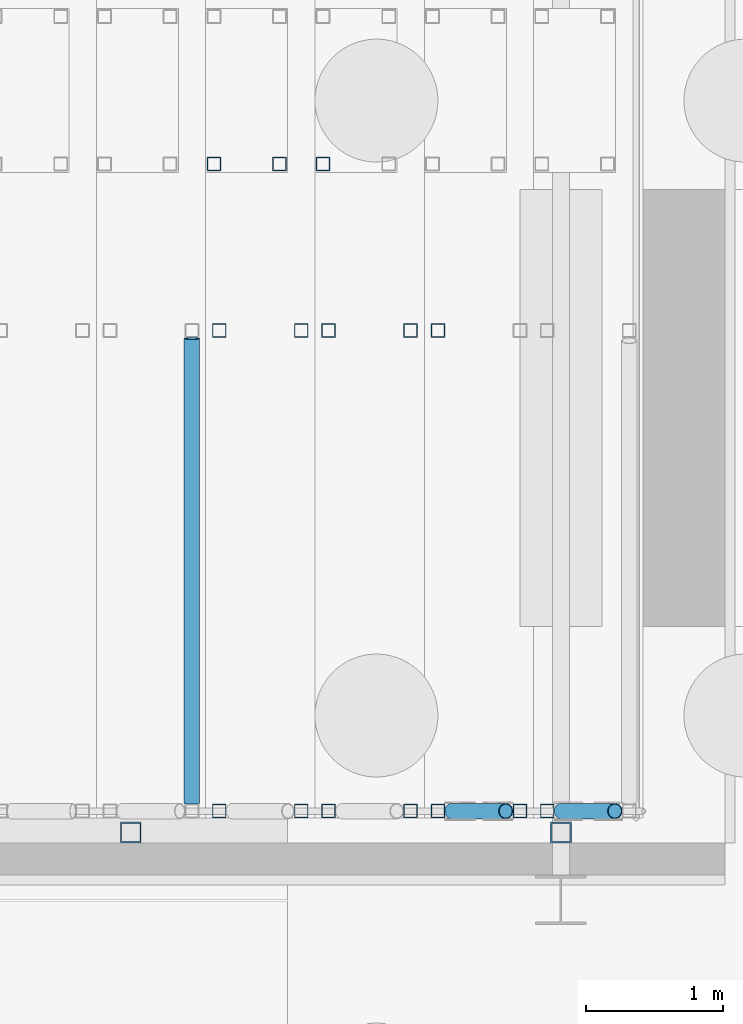
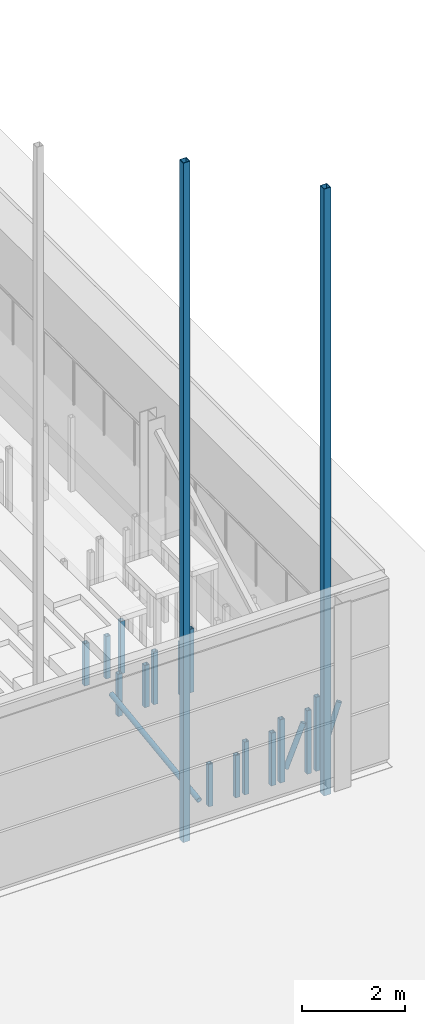
# One storey, part 49 of 139: 20 members.
"""IFC4 building model written with IfcOpenShell, lengths in metres."""

from ifc_helpers import new_model, si_unit, direction, frame, origin, origin_2d, place, context, subcontext, project, spatial, hollow_rectangle, hollow_circle, extrude, material, material_profile, profile_set, type_object, element, save


model = new_model("IFC4")

# Units and contexts
model_context = context("Model", 3, precision=1e-05, world=origin(), true_north=direction((0.0, 1.0)))
body_context = subcontext(model_context, "Body", "Model", "MODEL_VIEW")
ifc_project = project(units=[si_unit("LENGTHUNIT", "METRE"), si_unit("AREAUNIT", "SQUARE_METRE"), si_unit("VOLUMEUNIT", "CUBIC_METRE"), si_unit("PLANEANGLEUNIT", "RADIAN"), si_unit("MASSUNIT", "GRAM", prefix="KILO")], contexts=[model_context])

# Site, building, storey
site_placement = place(None, origin())
site = spatial("IfcSite", under=ifc_project, at=site_placement, CompositionType="ELEMENT")
building_placement = place(site_placement, origin())
building = spatial("IfcBuilding", under=site, at=building_placement, Name="Verrick Yard Athletic Hall", CompositionType="ELEMENT")
storey_placement = place(building_placement, origin())
storey = spatial("IfcBuildingStorey", under=building, at=storey_placement, Name="L00", CompositionType="ELEMENT", Elevation=0.0)

# Members
ifc_material = material(Name="Structural steel HSS Class C 350W (CSA G40.20/G40.21)", Category="steel")
ifc_material_profile_1 = material_profile(ifc_material, hollow_rectangle(XDim=0.15234375, YDim=0.15234375, WallThickness=0.009521484375, at=origin_2d()), Name="HSS152x152x9.5")
ifc_profile_set_1 = profile_set([ifc_material_profile_1], Name="Structural steel HSS Class C 350W (CSA G40.20/G40.21)")
member_type_1 = type_object("IfcMemberType", Name="HB gable post HSS152x152x9.5", PredefinedType="POST", material=ifc_profile_set_1)
member_1_placement = place(storey_placement, frame((166.452392578125, 72.49462890625, -0.5), z_axis=(0.0, 0.0, 1.0), x_axis=(1.0, 0.0, 0.0)))
element("IfcMember", 1, at=member_1_placement, inside=storey, type_object=member_type_1, Name="HB-GP-AS-13", PredefinedType="POST", context=body_context, shape_type="SweptSolid", body=[
    extrude(hollow_rectangle(XDim=0.15234375, YDim=0.15234375, WallThickness=0.009521484375, at=origin_2d()), origin(), (0.0, 0.0, 1.0), 16.0712890625),
])
member_2_placement = place(storey_placement, frame((169.60009765625, 72.49462890625, -0.5), z_axis=(0.0, 0.0, 1.0), x_axis=(1.0, 0.0, 0.0)))
element("IfcMember", 2, at=member_2_placement, inside=storey, type_object=member_type_1, Name="HB-GP-AS-14", PredefinedType="POST", context=body_context, shape_type="SweptSolid", body=[
    extrude(hollow_rectangle(XDim=0.15234375, YDim=0.15234375, WallThickness=0.009521484375, at=origin_2d()), origin(), (0.0, 0.0, 1.0), 14.3544921875),
])
ifc_material_profile_2 = material_profile(ifc_material, hollow_circle(Radius=0.05712890625, WallThickness=0.00634765625, at=origin_2d()), Name="HSS114x6.4")
ifc_profile_set_2 = profile_set([ifc_material_profile_2], Name="Structural steel HSS Class C 350W (CSA G40.20/G40.21)")
member_type_2 = type_object("IfcMemberType", Name="HB roof brace HSS114x6.4", PredefinedType="BRACE", material=ifc_profile_set_2)
member_3_placement = place(storey_placement, frame((168.803466796875, 72.65087890625, 0.277099609375), z_axis=(0.383768953832, 0.0, 0.923429147295), x_axis=(0.0, 1.0, 0.0)))
element("IfcMember", 3, at=member_3_placement, inside=storey, type_object=member_type_2, Name="HB-BRS-RSA2-a7", PredefinedType="BRACE", context=body_context, shape_type="SweptSolid", body=[
    extrude(hollow_circle(Radius=0.05712890625, WallThickness=0.00634765625, at=origin_2d()), origin(), (0.0, 0.0, 1.0), 1.024169921875),
])
member_4_placement = place(storey_placement, frame((169.604736328125, 72.65087890625, 0.30712890625), z_axis=(0.325057042805, 0.0, 0.945694410961), x_axis=(0.0, 1.0, 0.0)))
element("IfcMember", 4, at=member_4_placement, inside=storey, type_object=member_type_2, Name="HB-BRS-RSA2-a8", PredefinedType="BRACE", context=body_context, shape_type="SweptSolid", body=[
    extrude(hollow_circle(Radius=0.05712890625, WallThickness=0.00634765625, at=origin_2d()), origin(), (0.0, 0.0, 1.0), 1.200927734375),
])
member_5_placement = place(storey_placement, frame((166.89990234375, 72.708984375, 0.15087890625), z_axis=(0.0, 0.991420823535, 0.130708647997), x_axis=(-1.0, 0.0, 0.0)))
element("IfcMember", 5, at=member_5_placement, inside=storey, type_object=member_type_2, Name="HB-BRL-RSA2-a4", PredefinedType="BRACE", context=body_context, shape_type="SweptSolid", body=[
    extrude(hollow_circle(Radius=0.05712890625, WallThickness=0.00634765625, at=origin_2d()), origin(), (0.0, 0.0, 1.0), 3.429443359375),
])
ifc_material_profile_3 = material_profile(ifc_material, hollow_rectangle(XDim=0.1015625, YDim=0.1015625, WallThickness=0.00634765625, at=origin_2d()), Name="HSS102x102x6.4")
ifc_profile_set_3 = profile_set([ifc_material_profile_3], Name="Structural steel HSS Class C 350W (CSA G40.20/G40.21)")
member_type_3 = type_object("IfcMemberType", Name="HB seating post HSS102x102x6.4", PredefinedType="POST", material=ifc_profile_set_3)
for number, where, z_axis, x_axis, name in (
    (6, (167.06005859375, 77.385498046875, 0.0), (0.0, 0.0, 1.0), (0.0, 1.0, 0.0), "HB-SP-RSA2-A1S5a"),
    (7, (167.5400390625, 77.385498046875, 0.0), (0.0, 0.0, 1.0), (0.0, 1.0, 0.0), "HB-SP-RSA2-A1S5c"),
    (8, (167.10009765625, 72.65087890625, 0.0), (0.0, 0.0, 1.0), (0.0, 1.0, 0.0), "HB-SP-RSA2-T5f1"),
    (9, (167.10009765625, 76.167236328125, 0.0), (0.0, 0.0, 1.0), (0.0, 1.0, 0.0), "HB-SP-RSA2-T5f2"),
    (10, (167.699951171875, 72.65087890625, 0.0), (0.0, 0.0, 1.0), (0.0, 1.0, 0.0), "HB-SP-RSA2-T5b1"),
    (11, (167.699951171875, 76.167236328125, 0.0), (0.0, 0.0, 1.0), (0.0, 1.0, 0.0), "HB-SP-RSA2-T5b2"),
):
    element("IfcMember", number, at=place(storey_placement, frame(where, z_axis=z_axis, x_axis=x_axis)), inside=storey, type_object=member_type_3, Name=name, PredefinedType="POST", context=body_context, shape_type="SweptSolid", body=[
        extrude(hollow_rectangle(XDim=0.1015625, YDim=0.1015625, WallThickness=0.00634765625, at=origin_2d()), origin(), (0.0, 0.0, 1.0), 1.0),
    ])
for number, where, z_axis, x_axis, name in (
    (12, (167.860107421875, 77.385498046875, 0.0), (0.0, 0.0, 1.0), (0.0, 1.0, 0.0), "HB-SP-RSA2-A1S6a"),
    (13, (167.89990234375, 72.65087890625, 0.0), (0.0, 0.0, 1.0), (0.0, 1.0, 0.0), "HB-SP-RSA2-T6f1"),
    (14, (167.89990234375, 76.167236328125, 0.0), (0.0, 0.0, 1.0), (0.0, 1.0, 0.0), "HB-SP-RSA2-T6f2"),
    (15, (168.5, 72.65087890625, 0.0), (0.0, 0.0, 1.0), (0.0, 1.0, 0.0), "HB-SP-RSA2-T6b1"),
    (16, (168.5, 76.167236328125, 0.0), (0.0, 0.0, 1.0), (0.0, 1.0, 0.0), "HB-SP-RSA2-T6b2"),
):
    element("IfcMember", number, at=place(storey_placement, frame(where, z_axis=z_axis, x_axis=x_axis)), inside=storey, type_object=member_type_3, Name=name, PredefinedType="POST", context=body_context, shape_type="SweptSolid", body=[
        extrude(hollow_rectangle(XDim=0.1015625, YDim=0.1015625, WallThickness=0.00634765625, at=origin_2d()), origin(), (0.0, 0.0, 1.0), 1.25),
    ])
for number, where, z_axis, x_axis, name in (
    (17, (168.699951171875, 72.65087890625, 0.0), (0.0, 0.0, 1.0), (0.0, 1.0, 0.0), "HB-SP-RSA2-T7f1"),
    (18, (168.699951171875, 76.167236328125, 0.0), (0.0, 0.0, 1.0), (0.0, 1.0, 0.0), "HB-SP-RSA2-T7f2"),
    (19, (169.300048828125, 72.65087890625, 0.0), (0.0, 0.0, 1.0), (0.0, 1.0, 0.0), "HB-SP-RSA2-T7b1"),
):
    element("IfcMember", number, at=place(storey_placement, frame(where, z_axis=z_axis, x_axis=x_axis)), inside=storey, type_object=member_type_3, Name=name, PredefinedType="POST", context=body_context, shape_type="SweptSolid", body=[
        extrude(hollow_rectangle(XDim=0.1015625, YDim=0.1015625, WallThickness=0.00634765625, at=origin_2d()), origin(), (0.0, 0.0, 1.0), 1.5),
    ])
member_6_placement = place(storey_placement, frame((169.5, 72.65087890625, 0.0), z_axis=(0.0, 0.0, 1.0), x_axis=(0.0, 1.0, 0.0)))
element("IfcMember", 20, at=member_6_placement, inside=storey, type_object=member_type_3, Name="HB-SP-RSA2-T8f1", PredefinedType="POST", context=body_context, shape_type="SweptSolid", body=[
    extrude(hollow_rectangle(XDim=0.1015625, YDim=0.1015625, WallThickness=0.00634765625, at=origin_2d()), origin(), (0.0, 0.0, 1.0), 1.75),
])

save(model, "model.ifc")
